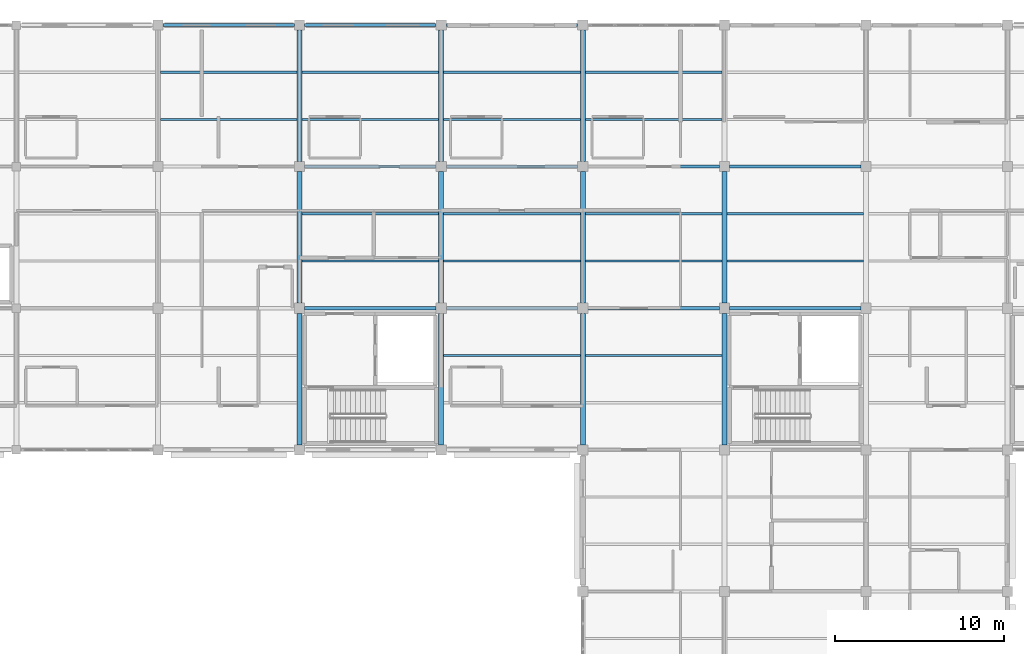
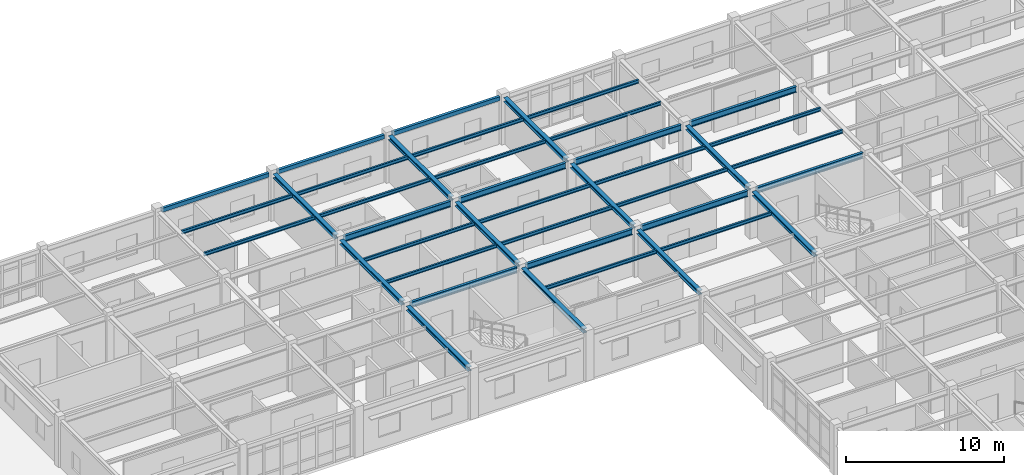
# One storey, part 25 of 70: 40 beams.
"""IFC4 building model written with IfcOpenShell, lengths in metres."""

from ifc_helpers import new_model, si_unit, direction, frame, origin, origin_2d, place, context, subcontext, project, spatial, hollow_rectangle, i_section, extrude, material, material_profile, profile_set, type_object, element, save


model = new_model("IFC4")

# Units and contexts
model_context = context("Model", 3, precision=1e-05, world=origin(), true_north=direction((0.0, 1.0)))
body_context = subcontext(model_context, "Body", "Model", "MODEL_VIEW")
ifc_project = project(units=[si_unit("LENGTHUNIT", "METRE"), si_unit("AREAUNIT", "SQUARE_METRE"), si_unit("VOLUMEUNIT", "CUBIC_METRE"), si_unit("PLANEANGLEUNIT", "RADIAN"), si_unit("MASSUNIT", "GRAM", prefix="KILO")], contexts=[model_context])

# Site, building, storey
site_placement = place(None, origin())
site = spatial("IfcSite", under=ifc_project, at=site_placement, CompositionType="ELEMENT")
building_placement = place(site_placement, origin())
building = spatial("IfcBuilding", under=site, at=building_placement, Name="Bramfleet General Hospital", CompositionType="ELEMENT")
storey_placement = place(building_placement, frame((0.0, 0.0, 22.5)))
storey = spatial("IfcBuildingStorey", under=building, at=storey_placement, Name="L05", CompositionType="ELEMENT", Elevation=22.5)

# Beams
ifc_material = material(Name="Steel S355", Category="steel")
ifc_material_profile_1 = material_profile(ifc_material, i_section(OverallWidth=0.300048828125, OverallDepth=0.31005859375, WebThickness=0.009033203125, FlangeThickness=0.015380859375, FilletRadius=0.027099609375, at=origin_2d()), Name="HEA 320")
ifc_profile_set_1 = profile_set([ifc_material_profile_1], Name="Steel S355")
beam_type_1 = type_object("IfcBeamType", Name="BM-HEA320", PredefinedType="BEAM", material=ifc_profile_set_1)
beam_1_placement = place(storey_placement, frame((75.60009765625, 92.699951171875, 3.465087890625), z_axis=(0.0, 1.0, 0.0), x_axis=(-1.0, 0.0, 0.0)))
element("IfcBeam", 1, at=beam_1_placement, inside=storey, type_object=beam_type_1, Name="L05 Grid Beam Y 09-11", PredefinedType="BEAM", context=body_context, shape_type="SweptSolid", body=[
    extrude(i_section(OverallWidth=0.300048828125, OverallDepth=0.31005859375, WebThickness=0.009033203125, FlangeThickness=0.015380859375, FilletRadius=0.027099609375, at=origin_2d()), origin(), (0.0, 0.0, 1.0), 7.800048828125),
])
beam_2_placement = place(storey_placement, frame((75.60009765625, 101.10009765625, 3.465087890625), z_axis=(0.0, 1.0, 0.0), x_axis=(-1.0, 0.0, 0.0)))
element("IfcBeam", 2, at=beam_2_placement, inside=storey, type_object=beam_type_1, Name="L05 Grid Beam Y 09-12", PredefinedType="BEAM", context=body_context, shape_type="SweptSolid", body=[
    extrude(i_section(OverallWidth=0.300048828125, OverallDepth=0.31005859375, WebThickness=0.009033203125, FlangeThickness=0.015380859375, FilletRadius=0.027099609375, at=origin_2d()), origin(), (0.0, 0.0, 1.0), 7.7998046875),
])
for number, where, z_axis, x_axis, name in (
    (3, (75.60009765625, 109.5, 3.465087890625), (0.0, 1.0, 0.0), (-1.0, 0.0, 0.0), "L05 Grid Beam Y 09-13"),
    (4, (84.0, 92.699951171875, 3.465087890625), (0.0, 1.0, 0.0), (-1.0, 0.0, 0.0), "L05 Grid Beam Y 10-11"),
):
    element("IfcBeam", number, at=place(storey_placement, frame(where, z_axis=z_axis, x_axis=x_axis)), inside=storey, type_object=beam_type_1, Name=name, PredefinedType="BEAM", context=body_context, shape_type="SweptSolid", body=[
        extrude(i_section(OverallWidth=0.300048828125, OverallDepth=0.31005859375, WebThickness=0.009033203125, FlangeThickness=0.015380859375, FilletRadius=0.027099609375, at=origin_2d()), origin(), (0.0, 0.0, 1.0), 7.800048828125),
    ])
beam_3_placement = place(storey_placement, frame((84.0, 101.10009765625, 3.465087890625), z_axis=(0.0, 1.0, 0.0), x_axis=(-1.0, 0.0, 0.0)))
element("IfcBeam", 5, at=beam_3_placement, inside=storey, type_object=beam_type_1, Name="L05 Grid Beam Y 10-12", PredefinedType="BEAM", context=body_context, shape_type="SweptSolid", body=[
    extrude(i_section(OverallWidth=0.300048828125, OverallDepth=0.31005859375, WebThickness=0.009033203125, FlangeThickness=0.015380859375, FilletRadius=0.027099609375, at=origin_2d()), origin(), (0.0, 0.0, 1.0), 7.7998046875),
])
for number, where, z_axis, x_axis, name in (
    (6, (84.0, 109.5, 3.465087890625), (0.0, 1.0, 0.0), (-1.0, 0.0, 0.0), "L05 Grid Beam Y 10-13"),
    (7, (92.39990234375, 92.699951171875, 3.465087890625), (0.0, 1.0, 0.0), (-1.0, 0.0, 0.0), "L05 Grid Beam Y 11-11"),
):
    element("IfcBeam", number, at=place(storey_placement, frame(where, z_axis=z_axis, x_axis=x_axis)), inside=storey, type_object=beam_type_1, Name=name, PredefinedType="BEAM", context=body_context, shape_type="SweptSolid", body=[
        extrude(i_section(OverallWidth=0.300048828125, OverallDepth=0.31005859375, WebThickness=0.009033203125, FlangeThickness=0.015380859375, FilletRadius=0.027099609375, at=origin_2d()), origin(), (0.0, 0.0, 1.0), 7.800048828125),
    ])
beam_4_placement = place(storey_placement, frame((92.39990234375, 101.10009765625, 3.465087890625), z_axis=(0.0, 1.0, 0.0), x_axis=(-1.0, 0.0, 0.0)))
element("IfcBeam", 8, at=beam_4_placement, inside=storey, type_object=beam_type_1, Name="L05 Grid Beam Y 11-12", PredefinedType="BEAM", context=body_context, shape_type="SweptSolid", body=[
    extrude(i_section(OverallWidth=0.300048828125, OverallDepth=0.31005859375, WebThickness=0.009033203125, FlangeThickness=0.015380859375, FilletRadius=0.027099609375, at=origin_2d()), origin(), (0.0, 0.0, 1.0), 7.7998046875),
])
for number, where, z_axis, x_axis, name in (
    (9, (92.39990234375, 109.5, 3.465087890625), (0.0, 1.0, 0.0), (-1.0, 0.0, 0.0), "L05 Grid Beam Y 11-13"),
    (10, (100.800048828125, 92.699951171875, 3.465087890625), (0.0, 1.0, 0.0), (-1.0, 0.0, 0.0), "L05 Grid Beam Y 12-11"),
):
    element("IfcBeam", number, at=place(storey_placement, frame(where, z_axis=z_axis, x_axis=x_axis)), inside=storey, type_object=beam_type_1, Name=name, PredefinedType="BEAM", context=body_context, shape_type="SweptSolid", body=[
        extrude(i_section(OverallWidth=0.300048828125, OverallDepth=0.31005859375, WebThickness=0.009033203125, FlangeThickness=0.015380859375, FilletRadius=0.027099609375, at=origin_2d()), origin(), (0.0, 0.0, 1.0), 7.800048828125),
    ])
beam_5_placement = place(storey_placement, frame((100.800048828125, 101.10009765625, 3.465087890625), z_axis=(0.0, 1.0, 0.0), x_axis=(-1.0, 0.0, 0.0)))
element("IfcBeam", 11, at=beam_5_placement, inside=storey, type_object=beam_type_1, Name="L05 Grid Beam Y 12-12", PredefinedType="BEAM", context=body_context, shape_type="SweptSolid", body=[
    extrude(i_section(OverallWidth=0.300048828125, OverallDepth=0.31005859375, WebThickness=0.009033203125, FlangeThickness=0.015380859375, FilletRadius=0.027099609375, at=origin_2d()), origin(), (0.0, 0.0, 1.0), 7.7998046875),
])
ifc_material_profile_2 = material_profile(ifc_material, i_section(OverallWidth=0.135009765625, OverallDepth=0.27001953125, WebThickness=0.006591796875, FlangeThickness=0.01025390625, FilletRadius=0.014892578125, at=origin_2d()), Name="IPE 270")
ifc_profile_set_2 = profile_set([ifc_material_profile_2], Name="Steel S355")
beam_type_2 = type_object("IfcBeamType", Name="BM-IPE270", PredefinedType="JOIST", material=ifc_profile_set_2)
for number, where, z_axis, x_axis, name in (
    (12, (67.35009765625, 112.0, 3.485107421875), (1.0, 0.0, 0.0), (0.0, 1.0, 0.0), "L05 Secondary Joist 08-13-1"),
    (13, (67.35009765625, 114.800048828125, 3.485107421875), (1.0, 0.0, 0.0), (0.0, 1.0, 0.0), "L05 Secondary Joist 08-13-2"),
):
    element("IfcBeam", number, at=place(storey_placement, frame(where, z_axis=z_axis, x_axis=x_axis)), inside=storey, type_object=beam_type_2, Name=name, PredefinedType="JOIST", context=body_context, shape_type="SweptSolid", body=[
        extrude(i_section(OverallWidth=0.135009765625, OverallDepth=0.27001953125, WebThickness=0.006591796875, FlangeThickness=0.01025390625, FilletRadius=0.014892578125, at=origin_2d()), origin(), (0.0, 0.0, 1.0), 8.099853515625),
    ])
for number, where, z_axis, x_axis, name in (
    (14, (75.75, 103.60009765625, 3.485107421875), (1.0, 0.0, 0.0), (0.0, 1.0, 0.0), "L05 Secondary Joist 09-12-1"),
    (15, (75.75, 106.39990234375, 3.485107421875), (1.0, 0.0, 0.0), (0.0, 1.0, 0.0), "L05 Secondary Joist 09-12-2"),
    (16, (75.75, 112.0, 3.485107421875), (1.0, 0.0, 0.0), (0.0, 1.0, 0.0), "L05 Secondary Joist 09-13-1"),
    (17, (75.75, 114.800048828125, 3.485107421875), (1.0, 0.0, 0.0), (0.0, 1.0, 0.0), "L05 Secondary Joist 09-13-2"),
    (18, (84.14990234375, 98.0, 3.485107421875), (1.0, 0.0, 0.0), (0.0, 1.0, 0.0), "L05 Secondary Joist 10-11-2"),
    (19, (84.14990234375, 103.60009765625, 3.485107421875), (1.0, 0.0, 0.0), (0.0, 1.0, 0.0), "L05 Secondary Joist 10-12-1"),
    (20, (84.14990234375, 106.39990234375, 3.485107421875), (1.0, 0.0, 0.0), (0.0, 1.0, 0.0), "L05 Secondary Joist 10-12-2"),
    (21, (84.14990234375, 112.0, 3.485107421875), (1.0, 0.0, 0.0), (0.0, 1.0, 0.0), "L05 Secondary Joist 10-13-1"),
    (22, (84.14990234375, 114.800048828125, 3.485107421875), (1.0, 0.0, 0.0), (0.0, 1.0, 0.0), "L05 Secondary Joist 10-13-2"),
):
    element("IfcBeam", number, at=place(storey_placement, frame(where, z_axis=z_axis, x_axis=x_axis)), inside=storey, type_object=beam_type_2, Name=name, PredefinedType="JOIST", context=body_context, shape_type="SweptSolid", body=[
        extrude(i_section(OverallWidth=0.135009765625, OverallDepth=0.27001953125, WebThickness=0.006591796875, FlangeThickness=0.01025390625, FilletRadius=0.014892578125, at=origin_2d()), origin(), (0.0, 0.0, 1.0), 8.10009765625),
    ])
for number, where, z_axis, x_axis, name in (
    (23, (92.550048828125, 98.0, 3.485107421875), (1.0, 0.0, 0.0), (0.0, 1.0, 0.0), "L05 Secondary Joist 11-11-2"),
    (24, (92.550048828125, 103.60009765625, 3.485107421875), (1.0, 0.0, 0.0), (0.0, 1.0, 0.0), "L05 Secondary Joist 11-12-1"),
    (25, (92.550048828125, 106.39990234375, 3.485107421875), (1.0, 0.0, 0.0), (0.0, 1.0, 0.0), "L05 Secondary Joist 11-12-2"),
    (26, (92.550048828125, 112.0, 3.485107421875), (1.0, 0.0, 0.0), (0.0, 1.0, 0.0), "L05 Secondary Joist 11-13-1"),
    (27, (92.550048828125, 114.800048828125, 3.485107421875), (1.0, 0.0, 0.0), (0.0, 1.0, 0.0), "L05 Secondary Joist 11-13-2"),
):
    element("IfcBeam", number, at=place(storey_placement, frame(where, z_axis=z_axis, x_axis=x_axis)), inside=storey, type_object=beam_type_2, Name=name, PredefinedType="JOIST", context=body_context, shape_type="SweptSolid", body=[
        extrude(i_section(OverallWidth=0.135009765625, OverallDepth=0.27001953125, WebThickness=0.006591796875, FlangeThickness=0.01025390625, FilletRadius=0.014892578125, at=origin_2d()), origin(), (0.0, 0.0, 1.0), 8.099853515625),
    ])
for number, where, z_axis, x_axis, name in (
    (28, (100.949951171875, 103.60009765625, 3.485107421875), (1.0, 0.0, 0.0), (0.0, 1.0, 0.0), "L05 Secondary Joist 12-12-1"),
    (29, (100.949951171875, 106.39990234375, 3.485107421875), (1.0, 0.0, 0.0), (0.0, 1.0, 0.0), "L05 Secondary Joist 12-12-2"),
):
    element("IfcBeam", number, at=place(storey_placement, frame(where, z_axis=z_axis, x_axis=x_axis)), inside=storey, type_object=beam_type_2, Name=name, PredefinedType="JOIST", context=body_context, shape_type="SweptSolid", body=[
        extrude(i_section(OverallWidth=0.135009765625, OverallDepth=0.27001953125, WebThickness=0.006591796875, FlangeThickness=0.01025390625, FilletRadius=0.014892578125, at=origin_2d()), origin(), (0.0, 0.0, 1.0), 8.10009765625),
    ])
ifc_material_profile_3 = material_profile(ifc_material, i_section(OverallWidth=0.18994140625, OverallDepth=0.449951171875, WebThickness=0.009521484375, FlangeThickness=0.0146484375, FilletRadius=0.02099609375, at=origin_2d()), Name="IPE 450")
ifc_profile_set_3 = profile_set([ifc_material_profile_3], Name="Steel S355")
beam_type_3 = type_object("IfcBeamType", Name="BM-IPE450", PredefinedType="BEAM", material=ifc_profile_set_3)
for number, where, z_axis, x_axis, name in (
    (30, (75.89990234375, 100.800048828125, 3.39501953125), (1.0, 0.0, 0.0), (0.0, 1.0, 0.0), "L05 Grid Beam X 09-12"),
    (31, (75.89990234375, 109.199951171875, 3.39501953125), (1.0, 0.0, 0.0), (0.0, 1.0, 0.0), "L05 Grid Beam X 09-13"),
    (32, (84.300048828125, 100.800048828125, 3.39501953125), (1.0, 0.0, 0.0), (0.0, 1.0, 0.0), "L05 Grid Beam X 10-12"),
    (33, (84.300048828125, 109.199951171875, 3.39501953125), (1.0, 0.0, 0.0), (0.0, 1.0, 0.0), "L05 Grid Beam X 10-13"),
    (34, (92.699951171875, 100.800048828125, 3.39501953125), (1.0, 0.0, 0.0), (0.0, 1.0, 0.0), "L05 Grid Beam X 11-12"),
    (35, (92.699951171875, 109.199951171875, 3.39501953125), (1.0, 0.0, 0.0), (0.0, 1.0, 0.0), "L05 Grid Beam X 11-13"),
):
    element("IfcBeam", number, at=place(storey_placement, frame(where, z_axis=z_axis, x_axis=x_axis)), inside=storey, type_object=beam_type_3, Name=name, PredefinedType="BEAM", context=body_context, shape_type="SweptSolid", body=[
        extrude(i_section(OverallWidth=0.18994140625, OverallDepth=0.449951171875, WebThickness=0.009521484375, FlangeThickness=0.0146484375, FilletRadius=0.02099609375, at=origin_2d()), origin(), (0.0, 0.0, 1.0), 7.800048828125),
    ])
for number, where, z_axis, x_axis, name in (
    (36, (101.10009765625, 100.800048828125, 3.39501953125), (1.0, 0.0, 0.0), (0.0, 1.0, 0.0), "L05 Grid Beam X 12-12"),
    (37, (101.10009765625, 109.199951171875, 3.39501953125), (1.0, 0.0, 0.0), (0.0, 1.0, 0.0), "L05 Grid Beam X 12-13"),
):
    element("IfcBeam", number, at=place(storey_placement, frame(where, z_axis=z_axis, x_axis=x_axis)), inside=storey, type_object=beam_type_3, Name=name, PredefinedType="BEAM", context=body_context, shape_type="SweptSolid", body=[
        extrude(i_section(OverallWidth=0.18994140625, OverallDepth=0.449951171875, WebThickness=0.009521484375, FlangeThickness=0.0146484375, FilletRadius=0.02099609375, at=origin_2d()), origin(), (0.0, 0.0, 1.0), 7.7998046875),
    ])
ifc_material_profile_4 = material_profile(ifc_material, hollow_rectangle(XDim=0.199951171875, YDim=0.300048828125, WallThickness=0.012451171875, at=origin_2d()), Name="RHS 300x200x12.5")
ifc_profile_set_4 = profile_set([ifc_material_profile_4], Name="Steel S355")
beam_type_4 = type_object("IfcBeamType", Name="BM-RHS300", PredefinedType="SPANDREL", material=ifc_profile_set_4)
for number, where, z_axis, x_axis, name in (
    (38, (67.5, 117.60009765625, 3.469970703125), (1.0, 0.0, 0.0), (0.0, 1.0, 0.0), "L05 Grid Beam X 08-14"),
    (39, (75.89990234375, 117.60009765625, 3.469970703125), (1.0, 0.0, 0.0), (0.0, 1.0, 0.0), "L05 Grid Beam X 09-14"),
    (40, (84.300048828125, 117.60009765625, 3.469970703125), (1.0, 0.0, 0.0), (0.0, 1.0, 0.0), "L05 Grid Beam X 10-14"),
):
    element("IfcBeam", number, at=place(storey_placement, frame(where, z_axis=z_axis, x_axis=x_axis)), inside=storey, type_object=beam_type_4, Name=name, PredefinedType="SPANDREL", context=body_context, shape_type="SweptSolid", body=[
        extrude(hollow_rectangle(XDim=0.199951171875, YDim=0.300048828125, WallThickness=0.012451171875, at=origin_2d()), origin(), (0.0, 0.0, 1.0), 7.800048828125),
    ])

save(model, "model.ifc")
